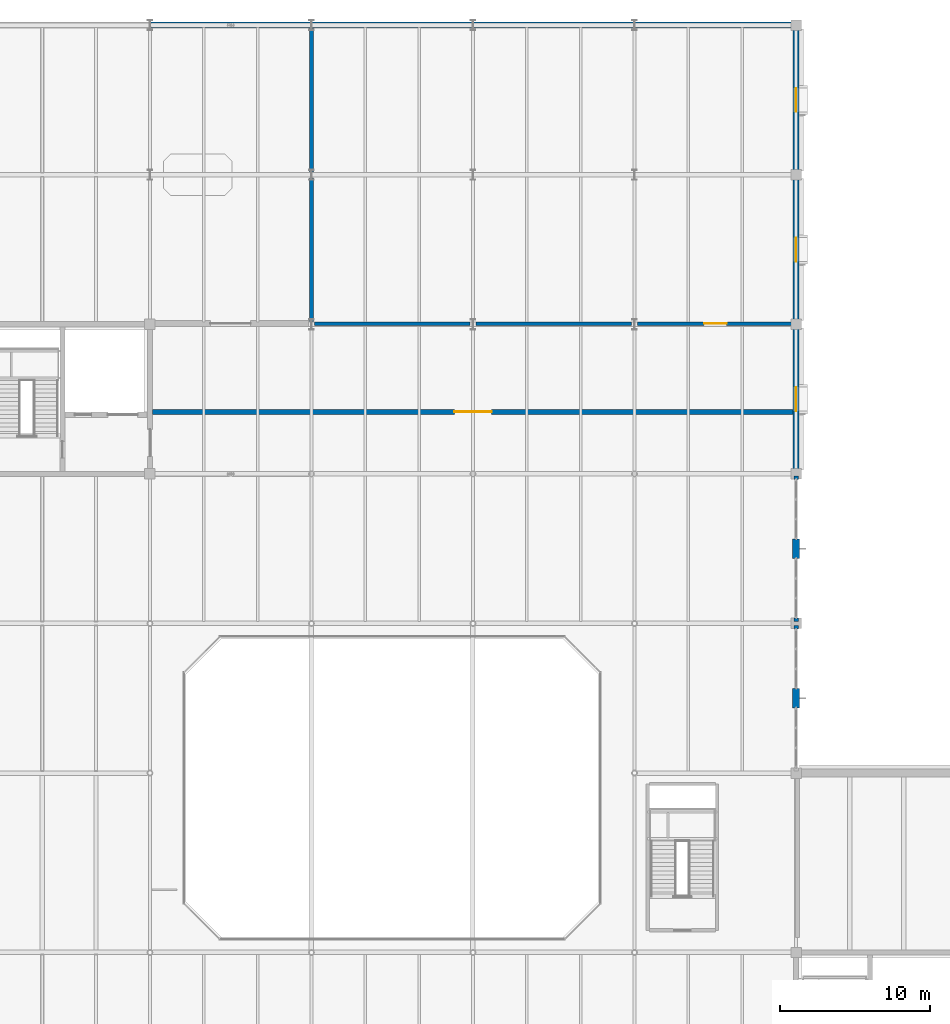
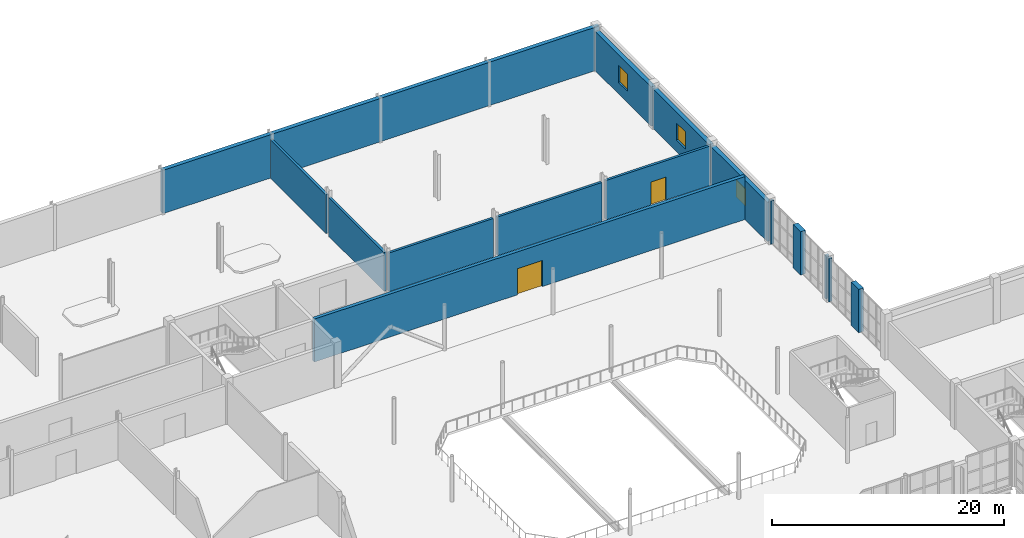
# One storey, part 79 of 92: 15 walls, 3 windows, 2 doors, 5 openings.
"""IFC4 building model written with IfcOpenShell, lengths in metres."""

from ifc_helpers import new_model, si_unit, direction, frame, frame_2d, origin, place, context, subcontext, project, spatial, rectangle, extrude, material, layer, layer_set, type_object, element, fill, save


model = new_model("IFC4")

# Units and contexts
model_context = context("Model", 3, precision=1e-05, world=origin(), true_north=direction((0.0, 1.0)))
body_context = subcontext(model_context, "Body", "Model", "MODEL_VIEW")
ifc_project = project(units=[si_unit("LENGTHUNIT", "METRE"), si_unit("AREAUNIT", "SQUARE_METRE"), si_unit("VOLUMEUNIT", "CUBIC_METRE"), si_unit("PLANEANGLEUNIT", "RADIAN"), si_unit("MASSUNIT", "GRAM", prefix="KILO")], contexts=[model_context])

# Site, building, storey
site_placement = place(None, origin())
site = spatial("IfcSite", under=ifc_project, at=site_placement, CompositionType="ELEMENT")
building_placement = place(site_placement, origin())
building = spatial("IfcBuilding", under=site, at=building_placement, Name="Tasgan Crest Museum", CompositionType="ELEMENT")
storey_placement = place(building_placement, frame((0.0, 0.0, 4.800048828125)))
storey = spatial("IfcBuildingStorey", under=building, at=storey_placement, Name="L01", CompositionType="ELEMENT", Elevation=4.800048828125)

# Walls
ifc_material_1 = material(Name="Precast concrete C40/50", Category="concrete")
ifc_layer_1 = layer(ifc_material_1, 0.320068359375, Name="WL-EXT-CLER-320")
ifc_layer_set_1 = layer_set([ifc_layer_1], Name="Precast concrete C40/50")
wall_type_1 = type_object("IfcWallType", Name="WL-EXT-CLER-320", PredefinedType="STANDARD", material=ifc_layer_set_1)
for number, where, z_axis, x_axis, name in (
    (1, (108.0, 71.6298828125, 0.0), (0.0, 0.0, 1.0), (0.0, 1.0, 0.0), "Curtain wall jamb closure L01 JR"),
    (2, (108.0, 72.14501953125, 0.0), (0.0, 0.0, 1.0), (0.0, 1.0, 0.0), "Curtain wall jamb closure L01 JL"),
    (3, (108.0, 81.6298828125, 0.0), (0.0, 0.0, 1.0), (0.0, 1.0, 0.0), "Curtain wall jamb closure L01 JR"),
):
    element("IfcWall", number, at=place(storey_placement, frame(where, z_axis=z_axis, x_axis=x_axis)), inside=storey, type_object=wall_type_1, Name=name, PredefinedType="STANDARD", context=body_context, shape_type="SweptSolid", body=[
        extrude(rectangle(XDim=0.22509765625, YDim=0.300048828125, at=frame_2d((0.112548828125, 0.0))), origin(), (0.0, 0.0, 1.0), 4.56005859375),
    ])
ifc_material_2 = material(Name="Precast concrete C40/50", Category="concrete")
ifc_layer_2 = layer(ifc_material_2, 0.47998046875, Name="WL-EXT-GRAN-480")
ifc_layer_set_2 = layer_set([ifc_layer_2], Name="Precast concrete C40/50")
wall_type_2 = type_object("IfcWallType", Name="WL-EXT-GRAN-480", PredefinedType="STANDARD", material=ifc_layer_set_2)
for number, where, z_axis, x_axis, name in (
    (4, (108.0, 66.35009765625, 0.0), (0.0, 0.0, 1.0), (0.0, 1.0, 0.0), "Postmodern facade stone pier L01"),
    (5, (108.0, 76.35009765625, 0.0), (0.0, 0.0, 1.0), (0.0, 1.0, 0.0), "Postmodern facade stone pier L01"),
):
    element("IfcWall", number, at=place(storey_placement, frame(where, z_axis=z_axis, x_axis=x_axis)), inside=storey, type_object=wall_type_2, Name=name, PredefinedType="STANDARD", context=body_context, shape_type="SweptSolid", body=[
        extrude(rectangle(XDim=1.2998046875, YDim=0.47998046875, at=frame_2d((0.64990234375, 0.0))), origin(), (0.0, 0.0, 1.0), 4.56005859375),
    ])

# Wall, opening, window
ifc_material_3 = material(Name="Precast concrete C40/50", Category="concrete")
ifc_layer_3 = layer(ifc_material_3, 0.419921875, Name="WL-EXT-SAND-420")
ifc_layer_set_3 = layer_set([ifc_layer_3], Name="Precast concrete C40/50")
wall_type_3 = type_object("IfcWallType", Name="WL-EXT-SAND-420", PredefinedType="STANDARD", material=ifc_layer_set_3)
wall_1_placement = place(storey_placement, frame((108.0, 82.14501953125, 0.0), z_axis=(0.0, 0.0, 1.0), x_axis=(0.0, 1.0, 0.0)))
wall_1 = element("IfcWall", 6, at=wall_1_placement, inside=storey, type_object=wall_type_3, Name="Exterior wall L01 (108.0,87.0)", PredefinedType="STANDARD", context=body_context, shape_type="SweptSolid", body=[
    extrude(rectangle(XDim=9.7099609375, YDim=0.419921875, at=frame_2d((4.85498046875, 0.0))), origin(), (0.0, 0.0, 1.0), 4.1298828125),
])
opening_1_placement = place(wall_1_placement, frame((4.054931640625, 0.0, 1.199951171875)))
opening_1 = element("IfcOpeningElement", 7, at=opening_1_placement, cuts=wall_1, Name="Opening W11", PredefinedType="OPENING", context=body_context, shape_type="SweptSolid", body=[
    extrude(rectangle(XDim=1.60009765625, YDim=1.800048828125, at=frame_2d((0.800048828125, 0.89990234375))), frame((0.0, 0.219970703125, 0.0), z_axis=(0.0, -1.0, 0.0), x_axis=(1.0, 0.0, 0.0)), (0.0, 0.0, 1.0), 0.43994140625),
])
ifc_material_4 = material(Name="Thermally Broken Triple-Glazed Aluminium", Category="aluminium")
window_type = type_object("IfcWindowType", Name="WN-LAB-1600X1800", PartitioningType="SINGLE_PANEL", PredefinedType="WINDOW", material=ifc_material_4)
window_1_placement = place(opening_1_placement, origin())
window_1 = element("IfcWindow", 8, at=window_1_placement, inside=storey, type_object=window_type, Name="Window W11 L01-025", OverallHeight=1.800048828125, OverallWidth=1.60009765625, PartitioningType="SINGLE_PANEL", PredefinedType="WINDOW", context=body_context, shape_type="SweptSolid", body=[
    extrude(rectangle(XDim=1.60009765625, YDim=1.800048828125, at=frame_2d((0.800048828125, 0.89990234375))), frame((0.0, 0.030029296875, 0.0), z_axis=(0.0, -1.0, 0.0), x_axis=(1.0, 0.0, 0.0)), (0.0, 0.0, 1.0), 0.06005859375),
])
fill(opening_1, window_1)

wall_2_placement = place(storey_placement, frame((108.0, 92.14501953125, 0.0), z_axis=(0.0, 0.0, 1.0), x_axis=(0.0, 1.0, 0.0)))
wall_2 = element("IfcWall", 9, at=wall_2_placement, inside=storey, type_object=wall_type_3, Name="Exterior wall L01 (108.0,97.0)", PredefinedType="STANDARD", context=body_context, shape_type="SweptSolid", body=[
    extrude(rectangle(XDim=9.7099609375, YDim=0.419921875, at=frame_2d((4.85498046875, 0.0))), origin(), (0.0, 0.0, 1.0), 4.1298828125),
])
opening_2_placement = place(wall_2_placement, frame((4.054931640625, 0.0, 1.199951171875)))
opening_2 = element("IfcOpeningElement", 10, at=opening_2_placement, cuts=wall_2, Name="Opening W11", PredefinedType="OPENING", context=body_context, shape_type="SweptSolid", body=[
    extrude(rectangle(XDim=1.60009765625, YDim=1.800048828125, at=frame_2d((0.800048828125, 0.89990234375))), frame((0.0, 0.219970703125, 0.0), z_axis=(0.0, -1.0, 0.0), x_axis=(1.0, 0.0, 0.0)), (0.0, 0.0, 1.0), 0.43994140625),
])
window_2_placement = place(opening_2_placement, origin())
window_2 = element("IfcWindow", 11, at=window_2_placement, inside=storey, type_object=window_type, Name="Window W11 L01-026", OverallHeight=1.800048828125, OverallWidth=1.60009765625, PartitioningType="SINGLE_PANEL", PredefinedType="WINDOW", context=body_context, shape_type="SweptSolid", body=[
    extrude(rectangle(XDim=1.60009765625, YDim=1.800048828125, at=frame_2d((0.800048828125, 0.89990234375))), frame((0.0, 0.030029296875, 0.0), z_axis=(0.0, -1.0, 0.0), x_axis=(1.0, 0.0, 0.0)), (0.0, 0.0, 1.0), 0.06005859375),
])
fill(opening_2, window_2)

wall_3_placement = place(storey_placement, frame((108.0, 102.14501953125, 0.0), z_axis=(0.0, 0.0, 1.0), x_axis=(0.0, 1.0, 0.0)))
wall_3 = element("IfcWall", 12, at=wall_3_placement, inside=storey, type_object=wall_type_3, Name="Exterior wall L01 (108.0,107.0)", PredefinedType="STANDARD", context=body_context, shape_type="SweptSolid", body=[
    extrude(rectangle(XDim=9.7099609375, YDim=0.419921875, at=frame_2d((4.85498046875, 0.0))), origin(), (0.0, 0.0, 1.0), 4.1298828125),
])
opening_3_placement = place(wall_3_placement, frame((4.054931640625, 0.0, 1.199951171875)))
opening_3 = element("IfcOpeningElement", 13, at=opening_3_placement, cuts=wall_3, Name="Opening W11", PredefinedType="OPENING", context=body_context, shape_type="SweptSolid", body=[
    extrude(rectangle(XDim=1.60009765625, YDim=1.800048828125, at=frame_2d((0.800048828125, 0.89990234375))), frame((0.0, 0.219970703125, 0.0), z_axis=(0.0, -1.0, 0.0), x_axis=(1.0, 0.0, 0.0)), (0.0, 0.0, 1.0), 0.43994140625),
])
window_3_placement = place(opening_3_placement, origin())
window_3 = element("IfcWindow", 14, at=window_3_placement, inside=storey, type_object=window_type, Name="Window W11 L01-027", OverallHeight=1.800048828125, OverallWidth=1.60009765625, PartitioningType="SINGLE_PANEL", PredefinedType="WINDOW", context=body_context, shape_type="SweptSolid", body=[
    extrude(rectangle(XDim=1.60009765625, YDim=1.800048828125, at=frame_2d((0.800048828125, 0.89990234375))), frame((0.0, 0.030029296875, 0.0), z_axis=(0.0, -1.0, 0.0), x_axis=(1.0, 0.0, 0.0)), (0.0, 0.0, 1.0), 0.06005859375),
])
fill(opening_3, window_3)

# Walls
ifc_material_5 = material(Name="Concrete C40/50", Category="concrete")
ifc_layer_4 = layer(ifc_material_5, 0.239990234375, Name="WL-FIRE-240")
ifc_layer_set_4 = layer_set([ifc_layer_4], Name="Concrete C40/50")
wall_type_4 = type_object("IfcWallType", Name="WL-FIRE-240", PredefinedType="SOLIDWALL", material=ifc_layer_set_4)
for number, where, z_axis, x_axis, name in (
    (15, (75.800048828125, 92.050048828125, 0.0), (0.0, 0.0, 1.0), (1.0, 0.0, 0.0), "Partition Avian Migration Gallery / Osteology Collection Archive 103 L01"),
    (16, (86.60009765625, 92.050048828125, 0.0), (0.0, 0.0, 1.0), (1.0, 0.0, 0.0), "Partition Avian Migration Gallery / Osteology Collection Archive 103 L01"),
):
    element("IfcWall", number, at=place(storey_placement, frame(where, z_axis=z_axis, x_axis=x_axis)), inside=storey, type_object=wall_type_4, Name=name, PredefinedType="SOLIDWALL", context=body_context, shape_type="SweptSolid", body=[
        extrude(rectangle(XDim=10.39990234375, YDim=0.239990234375, at=frame_2d((5.199951171875, 0.0))), origin(), (0.0, 0.0, 1.0), 4.06884765625),
    ])

# Wall, opening, door
wall_4_placement = place(storey_placement, frame((97.39990234375, 92.050048828125, 0.0), z_axis=(0.0, 0.0, 1.0), x_axis=(1.0, 0.0, 0.0)))
wall_4 = element("IfcWall", 17, at=wall_4_placement, inside=storey, type_object=wall_type_4, Name="Partition Avian Migration Gallery / Osteology Collection Archive 103 L01", PredefinedType="SOLIDWALL", context=body_context, shape_type="SweptSolid", body=[
    extrude(rectangle(XDim=10.420166015625, YDim=0.239990234375, at=frame_2d((5.2099609375, 0.0))), origin(), (0.0, 0.0, 1.0), 4.1298828125),
])
opening_4_placement = place(wall_4_placement, frame((4.4599609375, 0.0, 0.0)))
opening_4 = element("IfcOpeningElement", 18, at=opening_4_placement, cuts=wall_4, Name="Opening D049", PredefinedType="OPENING", context=body_context, shape_type="SweptSolid", body=[
    extrude(rectangle(XDim=1.5, YDim=2.39990234375, at=frame_2d((0.75, 1.199951171875))), frame((0.0, 0.1298828125, 0.0), z_axis=(0.0, -1.0, 0.0), x_axis=(1.0, 0.0, 0.0)), (0.0, 0.0, 1.0), 0.260009765625),
])
ifc_material_6 = material(Name="Insulated Archive Vault Steel Door", Category="steel")
door_type_1 = type_object("IfcDoorType", Name="DR-VAULT-1500", OperationType="NOTDEFINED", PredefinedType="DOOR", material=ifc_material_6)
door_1_placement = place(opening_4_placement, origin())
door_1 = element("IfcDoor", 19, at=door_1_placement, inside=storey, type_object=door_type_1, Name="Osteology Collection Archive 103 door D049", OperationType="SINGLE_SWING_RIGHT", OverallHeight=2.39990234375, OverallWidth=1.5, PredefinedType="DOOR", context=body_context, shape_type="SweptSolid", body=[
    extrude(rectangle(XDim=1.5, YDim=2.39990234375, at=frame_2d((0.75, 1.199951171875))), frame((0.0, 0.02490234375, 0.0), z_axis=(0.0, -1.0, 0.0), x_axis=(1.0, 0.0, 0.0)), (0.0, 0.0, 1.0), 0.050048828125),
])
fill(opening_4, door_1)

# Walls
for number, where, z_axis, x_axis, name in (
    (20, (75.60009765625, 92.179931640625, 0.0), (0.0, 0.0, 1.0), (0.0, 1.0, 0.0), "Partition Daurian Wetland Diorama Gallery / Osteology Collection Archive 103 L01"),
    (21, (75.60009765625, 102.199951171875, 0.0), (0.0, 0.0, 1.0), (0.0, 1.0, 0.0), "Partition Daurian Wetland Diorama Gallery / Osteology Collection Archive 103 L01"),
):
    element("IfcWall", number, at=place(storey_placement, frame(where, z_axis=z_axis, x_axis=x_axis)), inside=storey, type_object=wall_type_4, Name=name, PredefinedType="SOLIDWALL", context=body_context, shape_type="SweptSolid", body=[
        extrude(rectangle(XDim=9.6201171875, YDim=0.239990234375, at=frame_2d((4.81005859375, 0.0))), origin(), (0.0, 0.0, 1.0), 4.06005859375),
    ])
ifc_material_7 = material(Name="Concrete C40/50", Category="concrete")
ifc_layer_5 = layer(ifc_material_7, 0.39990234375, Name="WL-RET-400")
ifc_layer_set_5 = layer_set([ifc_layer_5], Name="Concrete C40/50")
wall_type_5 = type_object("IfcWallType", Name="WL-RET-400", PredefinedType="USERDEFINED", material=ifc_layer_set_5)
wall_5_placement = place(storey_placement, frame((64.800048828125, 112.0, 0.0), z_axis=(0.0, 0.0, 1.0), x_axis=(1.0, 0.0, 0.0)))
element("IfcWall", 22, at=wall_5_placement, inside=storey, type_object=wall_type_5, Name="Hillside retaining wall L01 N bay 3", ObjectType="RETAININGWALL", PredefinedType="USERDEFINED", context=body_context, shape_type="SweptSolid", body=[
    extrude(rectangle(XDim=43.419921875, YDim=0.39990234375, at=frame_2d((21.7099609375, 0.0))), origin(), (0.0, 0.0, 1.0), 4.56005859375),
])

# Wall, opening, door
ifc_material_8 = material(Name="Gypsum Acoustic Museum Partition")
ifc_layer_6 = layer(ifc_material_8, 0.330078125, Name="WL-SCH-11")
ifc_layer_set_6 = layer_set([ifc_layer_6], Name="Gypsum Acoustic Museum Partition")
wall_type_6 = type_object("IfcWallType", Name="WL-SCH-11", PredefinedType="PARTITIONING", material=ifc_layer_set_6)
wall_6_placement = place(storey_placement, frame((64.97998046875, 86.14990234375, 0.0), z_axis=(0.0, 0.0, 1.0), x_axis=(1.0, 0.0, 0.0)))
wall_6 = element("IfcWall", 23, at=wall_6_placement, inside=storey, type_object=wall_type_6, Name="Partition First Floor East Gallery Corridor / Avian Migration Gallery L01", PredefinedType="PARTITIONING", context=body_context, shape_type="SweptSolid", body=[
    extrude(rectangle(XDim=42.840087890625, YDim=0.330078125, at=frame_2d((21.419921875, 0.0))), origin(), (0.0, 0.0, 1.0), 4.52001953125),
])
opening_5_placement = place(wall_6_placement, frame((20.169921875, 0.0, 0.0)))
opening_5 = element("IfcOpeningElement", 24, at=opening_5_placement, cuts=wall_6, Name="Opening D046", PredefinedType="OPENING", context=body_context, shape_type="SweptSolid", body=[
    extrude(rectangle(XDim=2.5, YDim=2.75, at=frame_2d((1.25, 1.375))), frame((0.0, 0.175048828125, 0.0), z_axis=(0.0, -1.0, 0.0), x_axis=(1.0, 0.0, 0.0)), (0.0, 0.0, 1.0), 0.35009765625),
])
ifc_material_9 = material(Name="Oak and Brushed Bronze Acoustic Door")
door_type_2 = type_object("IfcDoorType", Name="DR-SCH-18", OperationType="NOTDEFINED", PredefinedType="DOOR", material=ifc_material_9)
door_2_placement = place(opening_5_placement, origin())
door_2 = element("IfcDoor", 25, at=door_2_placement, inside=storey, type_object=door_type_2, Name="Avian Migration Gallery door D046", OperationType="DOUBLE_DOOR_SINGLE_SWING", OverallHeight=2.75, OverallWidth=2.5, PredefinedType="DOOR", context=body_context, shape_type="SweptSolid", body=[
    extrude(rectangle(XDim=2.5, YDim=2.75, at=frame_2d((1.25, 1.375))), frame((0.0, 0.02490234375, 0.0), z_axis=(0.0, -1.0, 0.0), x_axis=(1.0, 0.0, 0.0)), (0.0, 0.0, 1.0), 0.050048828125),
])
fill(opening_5, door_2)

save(model, "model.ifc")
